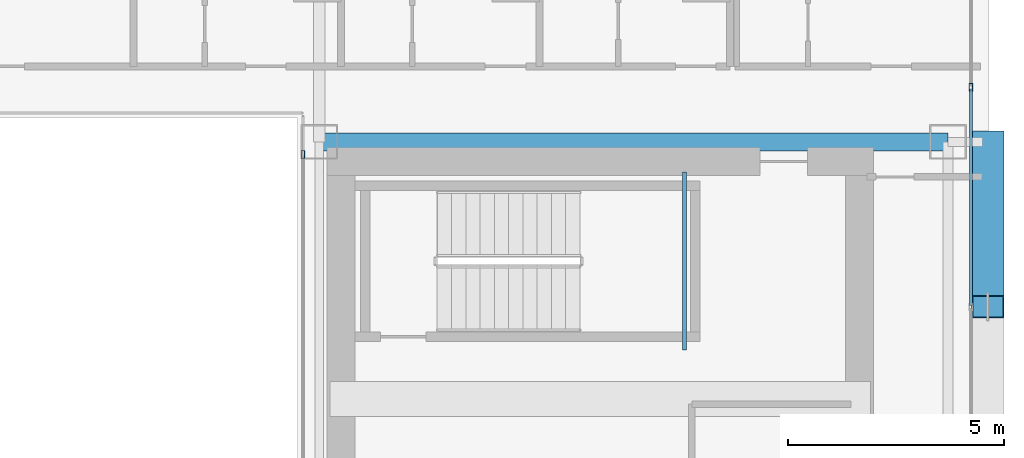
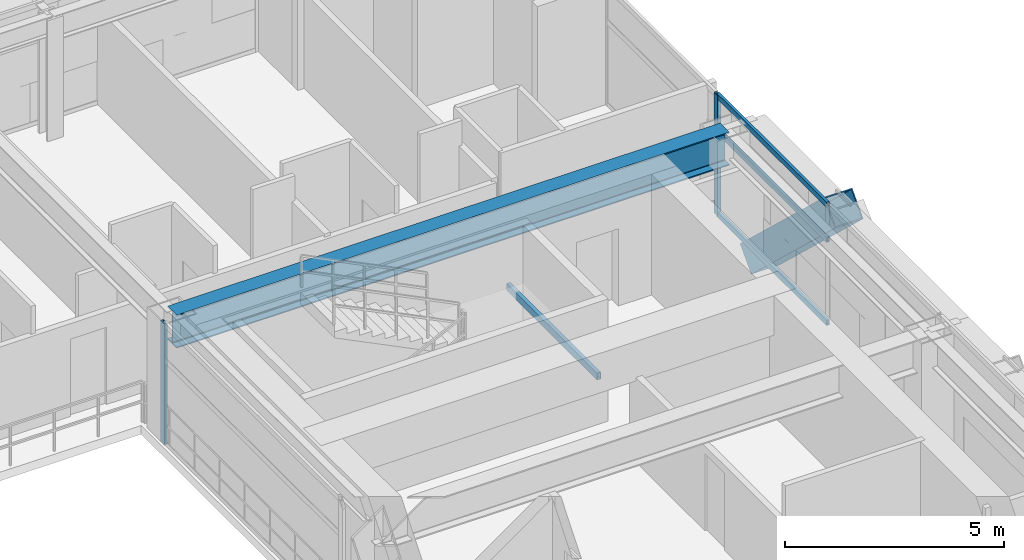
# One storey, part 23 of 39: 6 members, 2 beams, 2 elements without a shape of their own.
"""IFC4 building model written with IfcOpenShell, lengths in metres."""

import ifcopenshell
import ifcopenshell.guid

model = None  # the IFC model being written
_history = None  # IfcOwnerHistory: only IFC2X3 demands one
_inside = {}  # id of a spatial element -> (the spatial element, [elements in it])
_under = {}  # id of a project, library or spatial element -> (it, [spatial elements below it])
_declared = {}  # id of a project -> (the project, [libraries it declares])
_typed = {}  # id of a type object -> (the type object, [elements of that type])
_made_of = {}  # id of a material, layer set ... -> (it, [elements and type objects made of it])


def new_model(schema):
    """Start an empty IFC model of exactly this schema.

    Asked for "IFC4X3", IfcOpenShell would pick the latest addendum, in which some entities
    have other attributes; the version numbers below select the first issue.
    IFC2X3 requires an IfcOwnerHistory on every rooted entity: one is made here for all.
    """
    global model, _history
    if schema == "IFC4X3":
        model = ifcopenshell.file(schema_version=(4, 3, 0, 0))
    else:
        model = ifcopenshell.file(schema=schema)
    _inside.clear()
    _under.clear()
    _declared.clear()
    _typed.clear()
    _made_of.clear()
    _history = None
    if model.schema == "IFC2X3":
        org = make("IfcOrganization", Name="unknown")
        user = make(
            "IfcPersonAndOrganization",
            ThePerson=make("IfcPerson", FamilyName="unknown"),
            TheOrganization=org,
        )
        app = make(
            "IfcApplication",
            ApplicationDeveloper=org,
            Version="unknown",
            ApplicationFullName="unknown",
            ApplicationIdentifier="unknown",
        )
        _history = make(
            "IfcOwnerHistory",
            OwningUser=user,
            OwningApplication=app,
            ChangeAction="ADDED",
            CreationDate=0,
        )
    return model


def make(cls, **values):
    """One entity of the class cls with the attributes given. An attribute that is None is left unset."""
    return model.create_entity(
        cls, **{name: value for name, value in values.items() if value is not None}
    )


def rooted(cls, **values):
    """An entity with a GlobalId (a new one), such as an element, a storey or a relation."""
    return make(cls, GlobalId=ifcopenshell.guid.new(), OwnerHistory=_history, **values)


def si_unit(unit_type, name, prefix=None):
    """IfcSIUnit, for example si_unit("LENGTHUNIT", "METRE", prefix="MILLI")."""
    return make("IfcSIUnit", UnitType=unit_type, Prefix=prefix, Name=name)


def assignment(units):
    """IfcUnitAssignment: the units of a project."""
    return None if units is None else make("IfcUnitAssignment", Units=units)


def point(xyz):
    """IfcCartesianPoint."""
    return None if xyz is None else make("IfcCartesianPoint", Coordinates=xyz)


def direction(xyz):
    """IfcDirection."""
    return None if xyz is None else make("IfcDirection", DirectionRatios=xyz)


def frame(location, z_axis=None, x_axis=None):
    """IfcAxis2Placement3D, a coordinate frame: its origin and axes. An axis left out is left unset."""
    return make(
        "IfcAxis2Placement3D",
        Location=point(location),
        Axis=direction(z_axis),
        RefDirection=direction(x_axis),
    )


def frame_2d(location, x_axis=None):
    """IfcAxis2Placement2D, a coordinate frame in the plane: its origin and x axis."""
    return make(
        "IfcAxis2Placement2D", Location=point(location), RefDirection=direction(x_axis)
    )


def origin():
    """The frame at (0, 0, 0) with its axes left unset."""
    return frame((0.0, 0.0, 0.0))


def origin_2d():
    """The frame at (0, 0) in the plane with its x axis left unset."""
    return frame_2d((0.0, 0.0))


def place(relative_to, where):
    """IfcLocalPlacement: puts the frame where relative to a parent placement (None: the world)."""
    return make(
        "IfcLocalPlacement", PlacementRelTo=relative_to, RelativePlacement=where
    )


def context(
    kind, dimensions, precision=None, world=None, true_north=None, identifier=None
):
    """IfcGeometricRepresentationContext, for example the 3D "Model" context."""
    return make(
        "IfcGeometricRepresentationContext",
        ContextIdentifier=identifier,
        ContextType=kind,
        CoordinateSpaceDimension=dimensions,
        Precision=precision,
        WorldCoordinateSystem=world,
        TrueNorth=true_north,
    )


def subcontext(parent, identifier, kind, view, scale=None):
    """IfcGeometricRepresentationSubContext, for example "Body" below "Model"."""
    return make(
        "IfcGeometricRepresentationSubContext",
        ContextIdentifier=identifier,
        ContextType=kind,
        ParentContext=parent,
        TargetScale=scale,
        TargetView=view,
    )


def project(units=None, contexts=None):
    """IfcProject with its units and contexts."""
    return rooted(
        "IfcProject",
        Name="project",
        RepresentationContexts=contexts,
        UnitsInContext=assignment(units),
    )


def spatial(cls, under=None, at=None, **own):
    """A site, building, storey or space (cls), placed at a placement, below another one or the project."""
    s = rooted(cls, ObjectPlacement=at, **own)
    if under is not None:
        _under.setdefault(under.id(), (under, []))[1].append(s)
    return s


def profile(cls, at=None, kind="AREA", **sizes):
    """A parametric profile (cls). Its sizes go by their IFC names, for example OverallWidth=200.0."""
    return make(cls, ProfileType=kind, Position=at, **sizes)


def hollow_rectangle(**sizes):
    """IfcRectangleHollowProfileDef."""
    return profile("IfcRectangleHollowProfileDef", **sizes)


def i_section(**sizes):
    """IfcIShapeProfileDef."""
    return profile("IfcIShapeProfileDef", **sizes)


def extrude(swept, where, along, depth):
    """IfcExtrudedAreaSolid: the profile swept, set in the frame where, extruded along a direction by depth."""
    return make(
        "IfcExtrudedAreaSolid",
        SweptArea=swept,
        Position=where,
        ExtrudedDirection=direction(along),
        Depth=depth,
    )


def shape(context_of_items, identifier, shape_type, items):
    """IfcShapeRepresentation: the items that make up one representation, for example the "Body"."""
    return make(
        "IfcShapeRepresentation",
        ContextOfItems=context_of_items,
        RepresentationIdentifier=identifier,
        RepresentationType=shape_type,
        Items=items,
    )


def source(mapping_origin, context_of_items, identifier, shape_type, items):
    """IfcRepresentationMap: a shape defined once, which mapped items show again and again."""
    return make(
        "IfcRepresentationMap",
        MappingOrigin=mapping_origin,
        MappedRepresentation=shape(context_of_items, identifier, shape_type, items),
    )


def transform(
    local_origin,
    x_axis=None,
    y_axis=None,
    z_axis=None,
    scale=None,
    scale2=None,
    scale3=None,
    uniform=True,
):
    """IfcCartesianTransformationOperator3D, or its non-uniform kind. x_axis, y_axis, z_axis: its Axis1, 2, 3."""
    if uniform:
        return make(
            "IfcCartesianTransformationOperator3D",
            Axis1=direction(x_axis),
            Axis2=direction(y_axis),
            LocalOrigin=point(local_origin),
            Scale=scale,
            Axis3=direction(z_axis),
        )
    return make(
        "IfcCartesianTransformationOperator3DnonUniform",
        Axis1=direction(x_axis),
        Axis2=direction(y_axis),
        LocalOrigin=point(local_origin),
        Scale=scale,
        Axis3=direction(z_axis),
        Scale2=scale2,
        Scale3=scale3,
    )


def mapped(mapping_source, mapping_target):
    """IfcMappedItem: shows the shape of a source again, moved by a transform."""
    return make(
        "IfcMappedItem", MappingSource=mapping_source, MappingTarget=mapping_target
    )


def material(Name=None, Category=None):
    """IfcMaterial."""
    return make("IfcMaterial", Name=Name, Category=Category)


def layer(
    of_material, thickness, ventilated=None, Name=None, Category=None, Priority=None
):
    """IfcMaterialLayer: one layer of a wall or slab, of a material (None: an air gap)."""
    return make(
        "IfcMaterialLayer",
        Material=of_material,
        LayerThickness=thickness,
        IsVentilated=ventilated,
        Name=Name,
        Category=Category,
        Priority=Priority,
    )


def layer_set(layers, Name=None):
    """IfcMaterialLayerSet."""
    return make("IfcMaterialLayerSet", MaterialLayers=layers, LayerSetName=Name)


def material_profile(
    of_material, cross_section, Name=None, Category=None, Priority=None
):
    """IfcMaterialProfile: a cross section and its material."""
    return make(
        "IfcMaterialProfile",
        Name=Name,
        Material=of_material,
        Profile=cross_section,
        Priority=Priority,
        Category=Category,
    )


def profile_set(profiles, Name=None, composite=None):
    """IfcMaterialProfileSet."""
    return make(
        "IfcMaterialProfileSet",
        Name=Name,
        MaterialProfiles=profiles,
        CompositeProfile=composite,
    )


def made_of(thing, what):
    """Note that an element or type object is made of a material, layer set ...; save() writes the relation."""
    if what is not None:
        _made_of.setdefault(what.id(), (what, []))[1].append(thing)
    return thing


def type_object(cls, material=None, **own):
    """A type object (cls), such as IfcWallType, which elements share."""
    return made_of(rooted(cls, **own), material)


def element(
    cls,
    number,
    at=None,
    inside=None,
    cuts=None,
    type_object=None,
    material=None,
    context=None,
    identifier="Body",
    shape_type=None,
    held_by="IfcProductDefinitionShape",
    body=None,
    shapes=None,
    **own,
):
    """One element of the class cls, such as IfcWall. Its Tag is "e" and its number.

    at: its placement. inside: the storey or other place that contains it. cuts: it is an
    opening in that element (IfcRelVoidsElement). A single representation is given by context,
    identifier, shape_type and body (its items); several are given by shapes. held_by: the class
    of the entity that holds the representations. save() writes the other relations.
    """
    e = rooted(cls, Tag="e%d" % number, ObjectPlacement=at, **own)
    if body is not None:
        shapes = [shape(context, identifier, shape_type, body)]
    if shapes is not None:
        e.Representation = make(held_by, Representations=shapes)
    if inside is not None:
        _inside.setdefault(inside.id(), (inside, []))[1].append(e)
    if cuts is not None:
        rooted(
            "IfcRelVoidsElement", RelatingBuildingElement=cuts, RelatedOpeningElement=e
        )
    if type_object is not None:
        _typed.setdefault(type_object.id(), (type_object, []))[1].append(e)
    return made_of(e, material)


def aggregate(whole, parts):
    """IfcRelAggregates: a whole, such as a stair, and the parts it consists of."""
    return rooted("IfcRelAggregates", RelatingObject=whole, RelatedObjects=parts)


def save(model, path):
    """Write the relations noted so far, then the file.

    IfcRelAggregates (storeys below a building ...), IfcRelContainedInSpatialStructure (elements
    in a storey), IfcRelDefinesByType, IfcRelAssociatesMaterial and IfcRelDeclares: one each for
    every whole, place, type object, material and project.
    """
    for whole, parts in _under.values():
        aggregate(whole, parts)
    for where, things in _inside.values():
        rooted(
            "IfcRelContainedInSpatialStructure",
            RelatedElements=things,
            RelatingStructure=where,
        )
    for kind, things in _typed.values():
        rooted("IfcRelDefinesByType", RelatedObjects=things, RelatingType=kind)
    for what, things in _made_of.values():
        rooted("IfcRelAssociatesMaterial", RelatedObjects=things, RelatingMaterial=what)
    for by, libraries in _declared.values():
        rooted("IfcRelDeclares", RelatingContext=by, RelatedDefinitions=libraries)
    model.write(path)


model = new_model("IFC4")

# Units and contexts
model_context = context("Model", 3, precision=1e-05, world=origin(), true_north=direction((0.0, 1.0)))
body_context = subcontext(model_context, "Body", "Model", "MODEL_VIEW")
ifc_project = project(units=[si_unit("LENGTHUNIT", "METRE"), si_unit("AREAUNIT", "SQUARE_METRE"), si_unit("VOLUMEUNIT", "CUBIC_METRE"), si_unit("PLANEANGLEUNIT", "RADIAN"), si_unit("MASSUNIT", "GRAM", prefix="KILO")], contexts=[model_context])

# Site, building, storey
site_placement = place(None, origin())
site = spatial("IfcSite", under=ifc_project, at=site_placement, CompositionType="ELEMENT")
building_placement = place(site_placement, origin())
building = spatial("IfcBuilding", under=site, at=building_placement, Name="Ocotamira Hotel", CompositionType="ELEMENT")
storey_placement = place(building_placement, frame((0.0, 0.0, 104.39990234375)))
storey = spatial("IfcBuildingStorey", under=building, at=storey_placement, Name="L25", CompositionType="ELEMENT", Elevation=104.39990234375)

# Beams
ifc_material_1 = material(Name="Steel ASTM A500 Grade C", Category="steel")
ifc_material_profile_1 = material_profile(ifc_material_1, hollow_rectangle(XDim=0.10009765625, YDim=0.199951171875, WallThickness=0.008056640625, at=origin_2d()), Name="HSS200X100X8")
ifc_profile_set_1 = profile_set([ifc_material_profile_1], Name="Steel ASTM A500 Grade C")
beam_type_1 = type_object("IfcBeamType", Name="BM-STLDG-HSS200", PredefinedType="BEAM", material=ifc_profile_set_1)
shared_shape_1 = source(origin(), body_context, "Body", "SweptSolid", [
    extrude(hollow_rectangle(XDim=0.10009765625, YDim=0.199951171875, WallThickness=0.008056640625, at=origin_2d()), origin(), (0.0, 0.0, 1.0), 4.1201171875),
])
beam_1_placement = place(storey_placement, frame((48.949951171875, 32.6298828125, 1.5), z_axis=(0.0, 1.0, 0.0), x_axis=(-1.0, 0.0, 0.0)))
element("IfcBeam", 1, at=beam_1_placement, inside=storey, type_object=beam_type_1, Name="L25 Stair ST-4 Landing Bearer 1", PredefinedType="BEAM", context=body_context, shape_type="MappedRepresentation", body=[
    mapped(shared_shape_1, transform((0.0, 0.0, 0.0), scale=1.0)),
])
ifc_material_2 = material(Name="Steel ASTM A992 Grade 50", Category="steel")
ifc_material_profile_2 = material_profile(ifc_material_2, i_section(OverallWidth=0.41796875, OverallDepth=0.927001953125, WebThickness=0.019287109375, FlangeThickness=0.031982421875, FilletRadius=0.02392578125, at=origin_2d()), Name="W36X231")
ifc_profile_set_2 = profile_set([ifc_material_profile_2], Name="Steel ASTM A992 Grade 50")
beam_type_2 = type_object("IfcBeamType", Name="BM-GIRD-W36X231", PredefinedType="BEAM", material=ifc_profile_set_2)
shared_shape_2 = source(origin(), body_context, "Body", "SweptSolid", [
    extrude(i_section(OverallWidth=0.41796875, OverallDepth=0.927001953125, WebThickness=0.019287109375, FlangeThickness=0.031982421875, FilletRadius=0.02392578125, at=origin_2d()), origin(), (0.0, 0.0, 1.0), 14.550048828125),
])
beam_2_placement = place(storey_placement, frame((40.5, 37.449951171875, 2.896484375), z_axis=(1.0, 0.0, 0.0), x_axis=(0.0, 1.0, 0.0)))
element("IfcBeam", 2, at=beam_2_placement, inside=storey, type_object=beam_type_2, Name="L25 Girder Y37.45 X40.5-55.05", PredefinedType="BEAM", context=body_context, shape_type="MappedRepresentation", body=[
    mapped(shared_shape_2, transform((0.0, 0.0, 0.0), scale=1.0)),
])

# Member
ifc_material_3 = material(Name="Pale-metal coated steel ASTM A913 Grade 65", Category="steel")
ifc_material_profile_3 = material_profile(ifc_material_3, hollow_rectangle(XDim=0.75, YDim=0.75, WallThickness=0.028076171875, at=origin_2d()), Name="BOX750X750X28")
ifc_profile_set_3 = profile_set([ifc_material_profile_3], Name="Pale-metal coated steel ASTM A913 Grade 65")
member_type_1 = type_object("IfcMemberType", Name="MEM-EXO-BOX750", PredefinedType="BRACE", material=ifc_profile_set_3)
shared_shape_3 = source(origin(), body_context, "Body", "SweptSolid", [
    extrude(hollow_rectangle(XDim=0.75, YDim=0.75, WallThickness=0.028076171875, at=origin_2d()), origin(), (0.0, 0.0, 1.0), 5.24658203125),
])
member_1_placement = place(storey_placement, frame((55.969970703125, 37.449951171875, -0.489990234375), z_axis=(0.0, -0.727442733726, 0.686168397078), x_axis=(1.0, 0.0, 0.0)))
element("IfcMember", 3, at=member_1_placement, inside=storey, type_object=member_type_1, Name="L25 Exoskeleton Diagrid E2.2", PredefinedType="BRACE", context=body_context, shape_type="MappedRepresentation", body=[
    mapped(shared_shape_3, transform((0.0, 0.0, 0.0), scale=1.0)),
])

# Curtain wall, members
ifc_material_4 = material(Name="Anodised pale-metal aluminium and solar glass", Category="aluminium")
ifc_layer_1 = layer(ifc_material_4, 0.179931640625)
ifc_layer_set_1 = layer_set([ifc_layer_1], Name="Anodised pale-metal aluminium and solar glass")
curtain_wall_type_1 = type_object("IfcCurtainWallType", Name="CW-SYS3-Z2", PredefinedType="NOTDEFINED", material=ifc_layer_set_1)
curtain_wall_1_placement = place(storey_placement, origin())
curtain_wall_1 = element("IfcCurtainWall", 4, at=curtain_wall_1_placement, inside=storey, type_object=curtain_wall_type_1, Name="L25 Curtain Wall CW-3 CW-L25-E", PredefinedType="NOTDEFINED")
ifc_material_5 = material(Name="Anodised pale-metal aluminium 6063-T6", Category="aluminium")
ifc_material_profile_4 = material_profile(ifc_material_5, hollow_rectangle(XDim=0.074951171875, YDim=0.14990234375, WallThickness=0.006103515625, at=origin_2d()), Name="HSS150X75X6")
ifc_profile_set_4 = profile_set([ifc_material_profile_4], Name="Anodised pale-metal aluminium 6063-T6")
member_type_2 = type_object("IfcMemberType", Name="CWT-150X75", PredefinedType="USERDEFINED", material=ifc_profile_set_4)
shared_shape_4 = source(origin(), body_context, "Body", "SweptSolid", [
    extrude(hollow_rectangle(XDim=0.074951171875, YDim=0.14990234375, WallThickness=0.006103515625, at=origin_2d()), origin(), (0.0, 0.0, 1.0), 5.005859375),
])
member_2_placement = place(storey_placement, frame((55.580078125, 33.66845703125, 0.03759765625), z_axis=(0.0, 1.0, 0.0), x_axis=(-1.0, 0.0, 0.0)))
member_2 = element("IfcMember", 5, at=member_2_placement, type_object=member_type_2, Name="CW-3 transom 6.1", ObjectType="TRANSOM", PredefinedType="USERDEFINED", context=body_context, shape_type="MappedRepresentation", body=[
    mapped(shared_shape_4, transform((0.0, 0.0, 0.0), scale=1.0)),
])
member_3_placement = place(storey_placement, frame((55.580078125, 33.66845703125, 2.35009765625), z_axis=(0.0, 1.0, 0.0), x_axis=(-1.0, 0.0, 0.0)))
member_3 = element("IfcMember", 6, at=member_3_placement, type_object=member_type_2, Name="CW-3 transom 6.2", ObjectType="TRANSOM", PredefinedType="USERDEFINED", context=body_context, shape_type="MappedRepresentation", body=[
    mapped(shared_shape_4, transform((0.0, 0.0, 0.0), scale=1.0)),
])
member_4_placement = place(storey_placement, frame((55.580078125, 33.66845703125, 3.322509765625), z_axis=(0.0, 1.0, 0.0), x_axis=(-1.0, 0.0, 0.0)))
member_4 = element("IfcMember", 7, at=member_4_placement, type_object=member_type_2, Name="CW-3 transom 6.3", ObjectType="TRANSOM", PredefinedType="USERDEFINED", context=body_context, shape_type="MappedRepresentation", body=[
    mapped(shared_shape_4, transform((0.0, 0.0, 0.0), scale=1.0)),
])
ifc_material_profile_5 = material_profile(ifc_material_5, hollow_rectangle(XDim=0.080078125, YDim=0.179931640625, WallThickness=0.006103515625, at=origin_2d()), Name="HSS180X80X6")
ifc_profile_set_5 = profile_set([ifc_material_profile_5], Name="Anodised pale-metal aluminium 6063-T6")
member_type_3 = type_object("IfcMemberType", Name="CWM-180X75", PredefinedType="MULLION", material=ifc_profile_set_5)
shared_shape_5 = source(origin(), body_context, "Body", "SweptSolid", [
    extrude(hollow_rectangle(XDim=0.080078125, YDim=0.179931640625, WallThickness=0.006103515625, at=origin_2d()), origin(), (0.0, 0.0, 1.0), 3.360107421875),
])
member_5_placement = place(storey_placement, frame((55.580078125, 38.71435546875, 0.0), z_axis=(0.0, 0.0, 1.0), x_axis=(-1.0, 0.0, 0.0)))
member_5 = element("IfcMember", 8, at=member_5_placement, type_object=member_type_3, Name="CW-3 mullion 7", PredefinedType="MULLION", context=body_context, shape_type="MappedRepresentation", body=[
    mapped(shared_shape_5, transform((0.0, 0.0, 0.0), scale=1.0)),
])
aggregate(curtain_wall_1, [member_5, member_2, member_3, member_4])

# Curtain wall, member
ifc_layer_2 = layer(ifc_material_4, 0.159912109375)
ifc_layer_set_2 = layer_set([ifc_layer_2], Name="Anodised pale-metal aluminium and solar glass")
curtain_wall_type_2 = type_object("IfcCurtainWallType", Name="CW-SYS6-ATR", PredefinedType="NOTDEFINED", material=ifc_layer_set_2)
curtain_wall_2_placement = place(storey_placement, origin())
curtain_wall_2 = element("IfcCurtainWall", 9, at=curtain_wall_2_placement, inside=storey, type_object=curtain_wall_type_2, Name="L25 Curtain Wall CW-6 CW-L25-ATRE2", PredefinedType="NOTDEFINED")
member_6_placement = place(storey_placement, frame((40.1201171875, 37.159912109375, 0.0), z_axis=(0.0, 0.0, 1.0), x_axis=(-1.0, 0.0, 0.0)))
member_6 = element("IfcMember", 10, at=member_6_placement, type_object=member_type_3, Name="CW-6 mullion 2", PredefinedType="MULLION", context=body_context, shape_type="MappedRepresentation", body=[
    mapped(shared_shape_5, transform((0.0, 0.0, 0.0), scale=1.0)),
])
aggregate(curtain_wall_2, [member_6])

save(model, "model.ifc")
